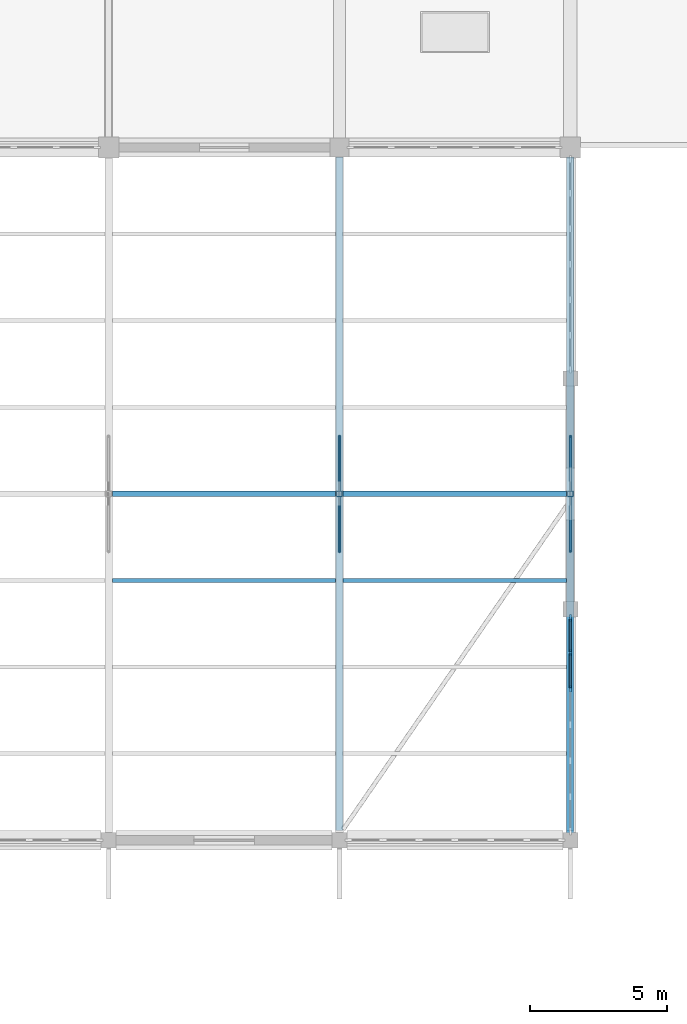
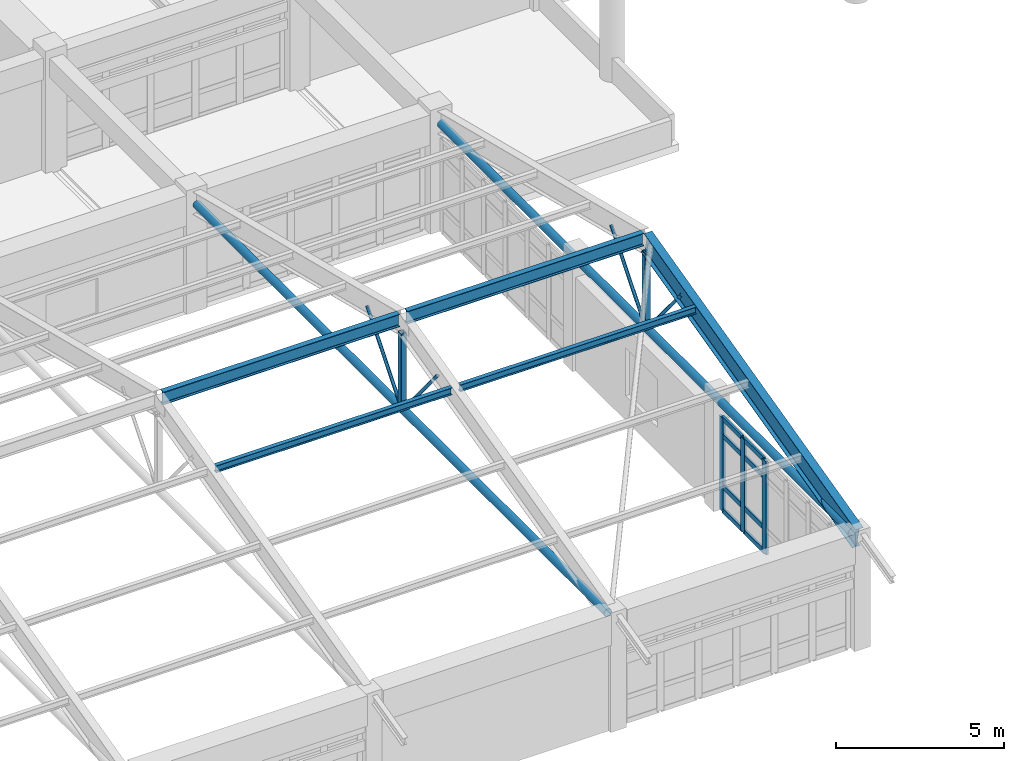
# One storey, part 14 of 99: 21 members, 3 beams, 1 element without a shape of its own.
"""IFC4 building model written with IfcOpenShell, lengths in metres."""

from ifc_helpers import new_model, si_unit, direction, frame, origin, origin_2d, place, context, subcontext, project, spatial, rectangle, hollow_rectangle, hollow_circle, i_section, extrude, material, layer, layer_set, material_profile, profile_set, type_object, element, aggregate, save


model = new_model("IFC4")

# Units and contexts
model_context = context("Model", 3, precision=1e-05, world=origin(), true_north=direction((0.0, 1.0)))
body_context = subcontext(model_context, "Body", "Model", "MODEL_VIEW")
ifc_project = project(units=[si_unit("LENGTHUNIT", "METRE"), si_unit("AREAUNIT", "SQUARE_METRE"), si_unit("VOLUMEUNIT", "CUBIC_METRE"), si_unit("PLANEANGLEUNIT", "RADIAN"), si_unit("MASSUNIT", "GRAM", prefix="KILO")], contexts=[model_context])

# Site, building, storey
site_placement = place(None, origin())
site = spatial("IfcSite", under=ifc_project, at=site_placement, CompositionType="ELEMENT")
building_placement = place(site_placement, origin())
building = spatial("IfcBuilding", under=site, at=building_placement, Name="Porcellanite Civic Hall", CompositionType="ELEMENT")
storey_placement = place(building_placement, frame((0.0, 0.0, 5.760009765625)))
storey = spatial("IfcBuildingStorey", under=building, at=storey_placement, Name="L01", CompositionType="ELEMENT", Elevation=5.760009765625)

# Members
ifc_material_1 = material(Name="Steel C350L0", Category="steel")
ifc_material_profile_1 = material_profile(ifc_material_1, hollow_circle(Radius=0.05712890625, WallThickness=0.006103515625, at=origin_2d()), Name="114.3x6.0CHS")
ifc_profile_set_1 = profile_set([ifc_material_profile_1], Name="Steel C350L0")
member_type_1 = type_object("IfcMemberType", Name="BRC-114CHS", PredefinedType="BRACE", material=ifc_profile_set_1)
for number, where, z_axis, x_axis, name in (
    (1, (100.800048828125, 29.280029296875, 3.974853515625), (0.0, -0.638285821995, 0.769799460535), (1.0, 0.0, 0.0), "Public Hall south web 12"),
    (2, (100.800048828125, 29.52001953125, 3.974853515625), (0.0, 0.638285821995, 0.769799460535), (-1.0, 0.0, 0.0), "Public Hall north web 12"),
    (3, (109.199951171875, 29.280029296875, 3.974853515625), (0.0, -0.638285821995, 0.769799460535), (1.0, 0.0, 0.0), "Public Hall south web 13"),
    (4, (109.199951171875, 29.52001953125, 3.974853515625), (0.0, 0.638285821995, 0.769799460535), (-1.0, 0.0, 0.0), "Public Hall north web 13"),
):
    element("IfcMember", number, at=place(storey_placement, frame(where, z_axis=z_axis, x_axis=x_axis)), inside=storey, type_object=member_type_1, Name=name, PredefinedType="BRACE", context=body_context, shape_type="SweptSolid", body=[
        extrude(hollow_circle(Radius=0.05712890625, WallThickness=0.006103515625, at=origin_2d()), origin(), (0.0, 0.0, 1.0), 3.10205078125),
    ])

# Curtain wall, members
ifc_material_2 = material(Name="Anodised aluminium and solar laminated glass", Category="aluminium")
ifc_layer = layer(ifc_material_2, 0.179931640625)
ifc_layer_set = layer_set([ifc_layer], Name="Anodised aluminium and solar laminated glass")
curtain_wall_type = type_object("IfcCurtainWallType", Name="CW-SYS01", PredefinedType="NOTDEFINED", material=ifc_layer_set)
curtain_wall_placement = place(storey_placement, origin())
curtain_wall = element("IfcCurtainWall", 5, at=curtain_wall_placement, inside=storey, type_object=curtain_wall_type, Name="Curtain wall CW-099", PredefinedType="NOTDEFINED")
ifc_material_3 = material(Name="Anodised aluminium 6063-T6", Category="aluminium")
ifc_material_profile_2 = material_profile(ifc_material_3, rectangle(XDim=0.080078125, YDim=0.239990234375, at=origin_2d()), Name="AL-80x240")
ifc_profile_set_2 = profile_set([ifc_material_profile_2], Name="Anodised aluminium 6063-T6")
member_type_2 = type_object("IfcMemberType", Name="CWM-01", PredefinedType="MULLION", material=ifc_profile_set_2)
member_1_placement = place(storey_placement, frame((109.199951171875, 24.884033203125, 0.0), z_axis=(0.0, 0.0, 1.0), x_axis=(1.0, 0.0, 0.0)))
member_1 = element("IfcMember", 6, at=member_1_placement, type_object=member_type_2, Name="CW-099 mullion 1", PredefinedType="MULLION", context=body_context, shape_type="SweptSolid", body=[
    extrude(rectangle(XDim=0.080078125, YDim=0.239990234375, at=origin_2d()), origin(), (0.0, 0.0, 1.0), 3.39990234375),
])
member_2_placement = place(storey_placement, frame((109.199951171875, 23.615966796875, 0.0), z_axis=(0.0, 0.0, 1.0), x_axis=(1.0, 0.0, 0.0)))
member_2 = element("IfcMember", 7, at=member_2_placement, type_object=member_type_2, Name="CW-099 mullion 2", PredefinedType="MULLION", context=body_context, shape_type="SweptSolid", body=[
    extrude(rectangle(XDim=0.080078125, YDim=0.239990234375, at=origin_2d()), origin(), (0.0, 0.0, 1.0), 3.39990234375),
])
member_3_placement = place(storey_placement, frame((109.199951171875, 22.30810546875, 0.0), z_axis=(0.0, 0.0, 1.0), x_axis=(1.0, 0.0, 0.0)))
member_3 = element("IfcMember", 8, at=member_3_placement, type_object=member_type_2, Name="CW-099 mullion 3", PredefinedType="MULLION", context=body_context, shape_type="SweptSolid", body=[
    extrude(rectangle(XDim=0.080078125, YDim=0.239990234375, at=origin_2d()), origin(), (0.0, 0.0, 1.0), 3.39990234375),
])
ifc_material_4 = material(Name="Anodised aluminium 6063-T6", Category="aluminium")
ifc_material_profile_3 = material_profile(ifc_material_4, rectangle(XDim=0.070068359375, YDim=0.175048828125, at=origin_2d()), Name="AL-70x175")
ifc_profile_set_3 = profile_set([ifc_material_profile_3], Name="Anodised aluminium 6063-T6")
member_type_3 = type_object("IfcMemberType", Name="CWT-01", PredefinedType="USERDEFINED", material=ifc_profile_set_3)
member_4_placement = place(storey_placement, frame((109.199951171875, 24.843994140625, 0.034912109375), z_axis=(0.0, -1.0, 0.0), x_axis=(1.0, 0.0, 0.0)))
member_4 = element("IfcMember", 9, at=member_4_placement, type_object=member_type_3, Name="CW-099 transom 1.1", ObjectType="TRANSOM", PredefinedType="USERDEFINED", context=body_context, shape_type="SweptSolid", body=[
    extrude(rectangle(XDim=0.070068359375, YDim=0.175048828125, at=origin_2d()), origin(), (0.0, 0.0, 1.0), 1.18798828125),
])
member_5_placement = place(storey_placement, frame((109.199951171875, 24.843994140625, 0.89990234375), z_axis=(0.0, -1.0, 0.0), x_axis=(1.0, 0.0, 0.0)))
member_5 = element("IfcMember", 10, at=member_5_placement, type_object=member_type_3, Name="CW-099 transom 1.2", ObjectType="TRANSOM", PredefinedType="USERDEFINED", context=body_context, shape_type="SweptSolid", body=[
    extrude(rectangle(XDim=0.070068359375, YDim=0.175048828125, at=origin_2d()), origin(), (0.0, 0.0, 1.0), 1.18798828125),
])
member_6_placement = place(storey_placement, frame((109.199951171875, 24.843994140625, 2.75), z_axis=(0.0, -1.0, 0.0), x_axis=(1.0, 0.0, 0.0)))
member_6 = element("IfcMember", 11, at=member_6_placement, type_object=member_type_3, Name="CW-099 transom 1.3", ObjectType="TRANSOM", PredefinedType="USERDEFINED", context=body_context, shape_type="SweptSolid", body=[
    extrude(rectangle(XDim=0.070068359375, YDim=0.175048828125, at=origin_2d()), origin(), (0.0, 0.0, 1.0), 1.18798828125),
])
member_7_placement = place(storey_placement, frame((109.199951171875, 24.843994140625, 3.364990234375), z_axis=(0.0, -1.0, 0.0), x_axis=(1.0, 0.0, 0.0)))
member_7 = element("IfcMember", 12, at=member_7_placement, type_object=member_type_3, Name="CW-099 transom 1.4", ObjectType="TRANSOM", PredefinedType="USERDEFINED", context=body_context, shape_type="SweptSolid", body=[
    extrude(rectangle(XDim=0.070068359375, YDim=0.175048828125, at=origin_2d()), origin(), (0.0, 0.0, 1.0), 1.18798828125),
])
member_8_placement = place(storey_placement, frame((109.199951171875, 23.575927734375, 0.034912109375), z_axis=(0.0, -1.0, 0.0), x_axis=(1.0, 0.0, 0.0)))
member_8 = element("IfcMember", 13, at=member_8_placement, type_object=member_type_3, Name="CW-099 transom 2.1", ObjectType="TRANSOM", PredefinedType="USERDEFINED", context=body_context, shape_type="SweptSolid", body=[
    extrude(rectangle(XDim=0.070068359375, YDim=0.175048828125, at=origin_2d()), origin(), (0.0, 0.0, 1.0), 1.22802734375),
])
member_9_placement = place(storey_placement, frame((109.199951171875, 23.575927734375, 0.89990234375), z_axis=(0.0, -1.0, 0.0), x_axis=(1.0, 0.0, 0.0)))
member_9 = element("IfcMember", 14, at=member_9_placement, type_object=member_type_3, Name="CW-099 transom 2.2", ObjectType="TRANSOM", PredefinedType="USERDEFINED", context=body_context, shape_type="SweptSolid", body=[
    extrude(rectangle(XDim=0.070068359375, YDim=0.175048828125, at=origin_2d()), origin(), (0.0, 0.0, 1.0), 1.22802734375),
])
member_10_placement = place(storey_placement, frame((109.199951171875, 23.575927734375, 2.75), z_axis=(0.0, -1.0, 0.0), x_axis=(1.0, 0.0, 0.0)))
member_10 = element("IfcMember", 15, at=member_10_placement, type_object=member_type_3, Name="CW-099 transom 2.3", ObjectType="TRANSOM", PredefinedType="USERDEFINED", context=body_context, shape_type="SweptSolid", body=[
    extrude(rectangle(XDim=0.070068359375, YDim=0.175048828125, at=origin_2d()), origin(), (0.0, 0.0, 1.0), 1.22802734375),
])
member_11_placement = place(storey_placement, frame((109.199951171875, 23.575927734375, 3.364990234375), z_axis=(0.0, -1.0, 0.0), x_axis=(1.0, 0.0, 0.0)))
member_11 = element("IfcMember", 16, at=member_11_placement, type_object=member_type_3, Name="CW-099 transom 2.4", ObjectType="TRANSOM", PredefinedType="USERDEFINED", context=body_context, shape_type="SweptSolid", body=[
    extrude(rectangle(XDim=0.070068359375, YDim=0.175048828125, at=origin_2d()), origin(), (0.0, 0.0, 1.0), 1.22802734375),
])
aggregate(curtain_wall, [member_1, member_2, member_3, member_4, member_5, member_6, member_7, member_8, member_9, member_10, member_11])

# Members
ifc_material_5 = material(Name="Steel Grade 350", Category="steel")
ifc_material_profile_4 = material_profile(ifc_material_5, i_section(OverallWidth=0.14599609375, OverallDepth=0.251953125, WebThickness=0.006103515625, FlangeThickness=0.008544921875, FilletRadius=0.0087890625, at=origin_2d()), Name="250UB31.4")
ifc_profile_set_4 = profile_set([ifc_material_profile_4], Name="Steel Grade 350")
member_type_4 = type_object("IfcMemberType", Name="PUR-250UB31", PredefinedType="PURLIN", material=ifc_profile_set_4)
for number, where, z_axis, x_axis, name in (
    (17, (92.537109375, 26.25, 6.52099609375), (1.0, 0.0, 0.0), (0.0, 1.0, 0.0), "Public Hall purlin 11 26.2"),
    (18, (100.93701171875, 26.25, 6.52099609375), (1.0, 0.0, 0.0), (0.0, 1.0, 0.0), "Public Hall purlin 12 26.2"),
):
    element("IfcMember", number, at=place(storey_placement, frame(where, z_axis=z_axis, x_axis=x_axis)), inside=storey, type_object=member_type_4, Name=name, PredefinedType="PURLIN", context=body_context, shape_type="SweptSolid", body=[
        extrude(i_section(OverallWidth=0.14599609375, OverallDepth=0.251953125, WebThickness=0.006103515625, FlangeThickness=0.008544921875, FilletRadius=0.0087890625, at=origin_2d()), origin(), (0.0, 0.0, 1.0), 8.1259765625),
    ])

# Beams
ifc_material_6 = material(Name="Steel Grade 350", Category="steel")
ifc_material_profile_5 = material_profile(ifc_material_6, i_section(OverallWidth=0.19091796875, OverallDepth=0.4599609375, WebThickness=0.010009765625, FlangeThickness=0.01611328125, FilletRadius=0.011474609375, at=origin_2d()), Name="460UB82.1")
ifc_profile_set_5 = profile_set([ifc_material_profile_5], Name="Steel Grade 350")
beam_type_1 = type_object("IfcBeamType", Name="RAF-460UB82", PredefinedType="BEAM", material=ifc_profile_set_5)
for number, where, z_axis, x_axis, name in (
    (19, (92.537109375, 29.39990234375, 7.20166015625), (1.0, 0.0, 0.0), (0.0, 1.0, 0.0), "Public Hall ridge beam 11"),
    (20, (100.93701171875, 29.39990234375, 7.20166015625), (1.0, 0.0, 0.0), (0.0, 1.0, 0.0), "Public Hall ridge beam 12"),
):
    element("IfcBeam", number, at=place(storey_placement, frame(where, z_axis=z_axis, x_axis=x_axis)), inside=storey, type_object=beam_type_1, Name=name, PredefinedType="BEAM", context=body_context, shape_type="SweptSolid", body=[
        extrude(i_section(OverallWidth=0.19091796875, OverallDepth=0.4599609375, WebThickness=0.010009765625, FlangeThickness=0.01611328125, FilletRadius=0.011474609375, at=origin_2d()), origin(), (0.0, 0.0, 1.0), 8.1259765625),
    ])
ifc_material_7 = material(Name="Steel Grade 350", Category="steel")
ifc_material_profile_6 = material_profile(ifc_material_7, i_section(OverallWidth=0.27490234375, OverallDepth=0.800048828125, WebThickness=0.010009765625, FlangeThickness=0.01611328125, FilletRadius=0.013916015625, at=origin_2d()), Name="800WB146")
ifc_profile_set_6 = profile_set([ifc_material_profile_6], Name="Steel Grade 350")
beam_type_2 = type_object("IfcBeamType", Name="RAF-800WB", PredefinedType="BEAM", material=ifc_profile_set_6)
beam_placement = place(storey_placement, frame((109.199951171875, 16.800048828125, 3.894775390625), z_axis=(0.0, 0.970293823695, 0.241929526309), x_axis=(-1.0, 0.0, 0.0)))
element("IfcBeam", 21, at=beam_placement, inside=storey, type_object=beam_type_2, Name="Public Hall south rafter 13", PredefinedType="BEAM", context=body_context, shape_type="SweptSolid", body=[
    extrude(i_section(OverallWidth=0.27490234375, OverallDepth=0.800048828125, WebThickness=0.010009765625, FlangeThickness=0.01611328125, FilletRadius=0.013916015625, at=origin_2d()), origin(), (0.0, 0.0, 1.0), 12.985595703125),
])

# Members
ifc_material_8 = material(Name="Steel C350L0", Category="steel")
ifc_material_profile_7 = material_profile(ifc_material_8, hollow_rectangle(XDim=0.199951171875, YDim=0.199951171875, WallThickness=0.009033203125, InnerFilletRadius=0.013427734375, OuterFilletRadius=0.0224609375, at=origin_2d()), Name="200x200x9.0SHS")
ifc_profile_set_7 = profile_set([ifc_material_profile_7], Name="Steel C350L0")
member_type_5 = type_object("IfcMemberType", Name="STR-200SHS", PredefinedType="STRUT", material=ifc_profile_set_7)
for number, where, z_axis, x_axis, name in (
    (22, (100.800048828125, 29.39990234375, 4.034912109375), (0.0, 0.0, 1.0), (1.0, 0.0, 0.0), "Public Hall king post 12"),
    (23, (109.199951171875, 29.39990234375, 4.034912109375), (0.0, 0.0, 1.0), (1.0, 0.0, 0.0), "Public Hall king post 13"),
):
    element("IfcMember", number, at=place(storey_placement, frame(where, z_axis=z_axis, x_axis=x_axis)), inside=storey, type_object=member_type_5, Name=name, PredefinedType="STRUT", context=body_context, shape_type="SweptSolid", body=[
        extrude(hollow_rectangle(XDim=0.199951171875, YDim=0.199951171875, WallThickness=0.009033203125, InnerFilletRadius=0.013427734375, OuterFilletRadius=0.0224609375, at=origin_2d()), origin(), (0.0, 0.0, 1.0), 2.6513671875),
    ])
ifc_material_9 = material(Name="Steel C350L0", Category="steel")
ifc_material_profile_8 = material_profile(ifc_material_9, hollow_circle(Radius=0.136474609375, WallThickness=0.00927734375, at=origin_2d()), Name="273.1x9.3CHS")
ifc_profile_set_8 = profile_set([ifc_material_profile_8], Name="Steel C350L0")
member_type_6 = type_object("IfcMemberType", Name="TIE-273CHS", PredefinedType="CHORD", material=ifc_profile_set_8)
for number, where, z_axis, x_axis, name in (
    (24, (100.800048828125, 17.14990234375, 3.894775390625), (0.0, 1.0, 0.0), (-1.0, 0.0, 0.0), "Public Hall tie chord 12"),
    (25, (109.199951171875, 17.14990234375, 3.894775390625), (0.0, 1.0, 0.0), (-1.0, 0.0, 0.0), "Public Hall tie chord 13"),
):
    element("IfcMember", number, at=place(storey_placement, frame(where, z_axis=z_axis, x_axis=x_axis)), inside=storey, type_object=member_type_6, Name=name, PredefinedType="CHORD", context=body_context, shape_type="SweptSolid", body=[
        extrude(hollow_circle(Radius=0.136474609375, WallThickness=0.00927734375, at=origin_2d()), origin(), (0.0, 0.0, 1.0), 24.5),
    ])

save(model, "model.ifc")
